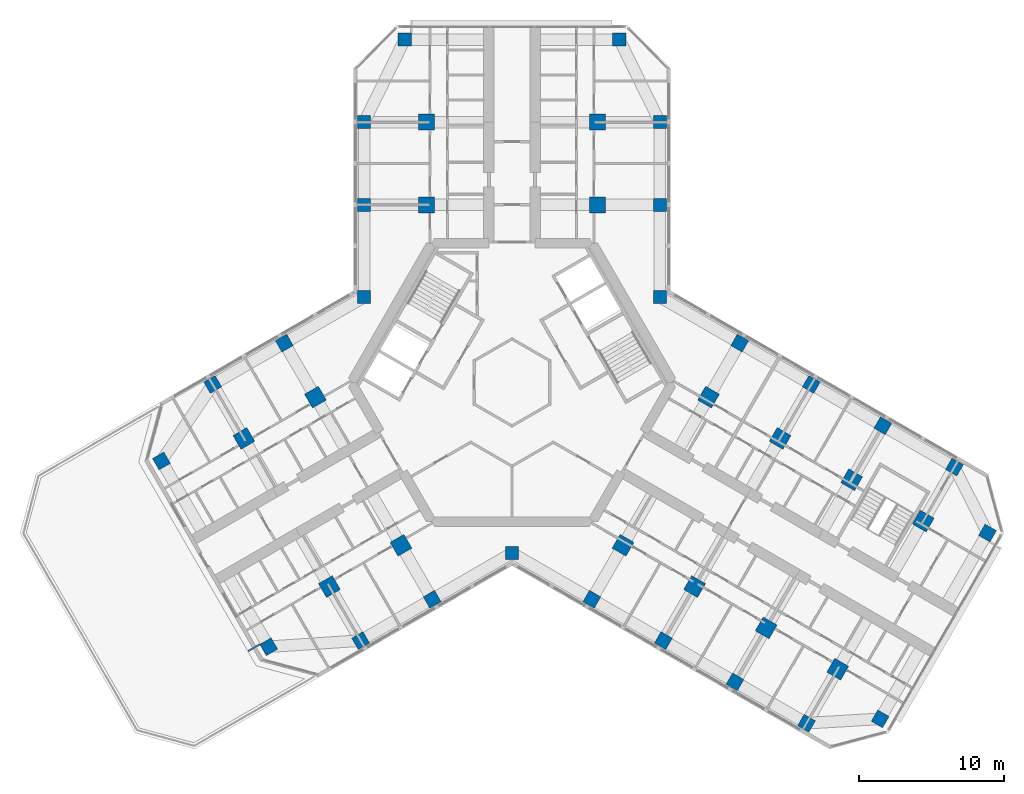
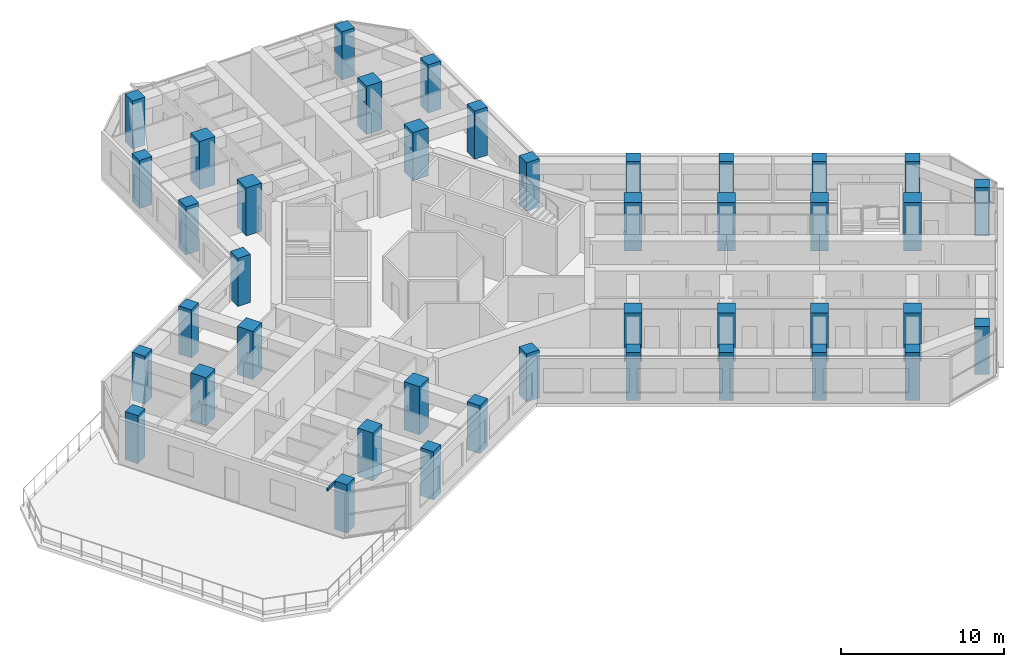
# One storey, part 1 of 17: 41 columns, 1 member.
"""IFC4 building model written with IfcOpenShell, lengths in metres."""

from ifc_helpers import new_model, si_unit, direction, frame, origin, origin_2d, place, context, subcontext, project, spatial, rectangle, hollow_rectangle, extrude, material, material_profile, profile_set, type_object, element, save


model = new_model("IFC4")

# Units and contexts
model_context = context("Model", 3, precision=1e-05, world=origin(), true_north=direction((0.0, 1.0)))
body_context = subcontext(model_context, "Body", "Model", "MODEL_VIEW")
ifc_project = project(units=[si_unit("LENGTHUNIT", "METRE"), si_unit("AREAUNIT", "SQUARE_METRE"), si_unit("VOLUMEUNIT", "CUBIC_METRE"), si_unit("PLANEANGLEUNIT", "RADIAN"), si_unit("MASSUNIT", "GRAM", prefix="KILO")], contexts=[model_context])

# Site, building, storey
site_placement = place(None, origin())
site = spatial("IfcSite", under=ifc_project, at=site_placement, CompositionType="ELEMENT")
building_placement = place(site_placement, origin())
building = spatial("IfcBuilding", under=site, at=building_placement, Name="Kosmar Iwan School Tower", CompositionType="ELEMENT")
storey_placement = place(building_placement, frame((0.0, 0.0, 193.800048828125)))
storey = spatial("IfcBuildingStorey", under=building, at=storey_placement, Name="L48", CompositionType="ELEMENT", Elevation=193.800048828125)

# Columns
ifc_material_1 = material(Name="Concrete C50/60", Category="concrete")
ifc_material_profile_1 = material_profile(ifc_material_1, rectangle(XDim=0.89990234375, YDim=0.89990234375, at=origin_2d()), Name="RC 900x900 + HD 400x347")
ifc_profile_set_1 = profile_set([ifc_material_profile_1], Name="Concrete C50/60")
column_type_1 = type_object("IfcColumnType", Name="Composite column 900x900 HD 400x347", PredefinedType="COLUMN", material=ifc_profile_set_1)
for number, where, z_axis, x_axis, name in (
    (1, (-10.199951171875, 12.25, 0.0), (0.0, 0.0, 1.0), (0.0, 1.0, 0.0), "Column AL1 L48"),
    (2, (-10.199951171875, 17.949951171875, 0.0), (0.0, 0.0, 1.0), (0.0, 1.0, 0.0), "Column AL2 L48"),
    (3, (-7.39990234375, 23.64990234375, 0.0), (0.0, 0.0, 1.0), (0.0, 1.0, 0.0), "Column ALTIP L48"),
    (4, (10.199951171875, 12.25, 0.0), (0.0, 0.0, 1.0), (0.0, 1.0, 0.0), "Column AR1 L48"),
    (5, (10.199951171875, 17.949951171875, 0.0), (0.0, 0.0, 1.0), (0.0, 1.0, 0.0), "Column AR2 L48"),
    (6, (7.39990234375, 23.64990234375, 0.0), (0.0, 0.0, 1.0), (0.0, 1.0, 0.0), "Column ARTIP L48"),
    (7, (-5.5087890625, -14.95849609375, 0.0), (0.0, 0.0, 1.0), (-0.866025403784, -0.5, 0.0), "Column BL1 L48"),
    (8, (-10.445068359375, -17.808349609375, 0.0), (0.0, 0.0, 1.0), (-0.866025403784, -0.5, 0.0), "Column BL2 L48"),
    (9, (-16.781494140625, -18.233642578125, 0.0), (0.0, 0.0, 1.0), (-0.866025403784, -0.5, 0.0), "Column BLTIP L48"),
    (10, (-15.708740234375, 2.70849609375, 0.0), (0.0, 0.0, 1.0), (-0.866025403784, -0.5, 0.0), "Column BR1 L48"),
    (11, (-20.645263671875, -0.1416015625, 0.0), (0.0, 0.0, 1.0), (-0.866025403784, -0.5, 0.0), "Column BR2 L48"),
    (12, (-24.181396484375, -5.41650390625, 0.0), (0.0, 0.0, 1.0), (-0.866025403784, -0.5, 0.0), "Column BRTIP L48"),
    (13, (15.708740234375, 2.70849609375, 0.0), (0.0, 0.0, 1.0), (0.866025403784, -0.5, 0.0), "Column CL1 L48"),
    (14, (20.645263671875, -0.1416015625, 0.0), (0.0, 0.0, 1.0), (0.866025403784, -0.5, 0.0), "Column CL2 L48"),
    (15, (25.58154296875, -2.991455078125, 0.0), (0.0, 0.0, 1.0), (0.866025403784, -0.5, 0.0), "Column CL3 L48"),
    (16, (30.517822265625, -5.841552734375, 0.0), (0.0, 0.0, 1.0), (0.866025403784, -0.5, 0.0), "Column CL4 L48"),
    (17, (32.79833984375, -10.391357421875, 0.0), (0.0, 0.0, 1.0), (0.866025403784, -0.5, 0.0), "Column CLTIP L48"),
    (18, (5.5087890625, -14.95849609375, 0.0), (0.0, 0.0, 1.0), (0.866025403784, -0.5, 0.0), "Column CR1 L48"),
    (19, (10.445068359375, -17.808349609375, 0.0), (0.0, 0.0, 1.0), (0.866025403784, -0.5, 0.0), "Column CR2 L48"),
    (20, (15.381591796875, -20.658447265625, 0.0), (0.0, 0.0, 1.0), (0.866025403784, -0.5, 0.0), "Column CR3 L48"),
    (21, (20.31787109375, -23.508544921875, 0.0), (0.0, 0.0, 1.0), (0.866025403784, -0.5, 0.0), "Column CR4 L48"),
    (22, (25.3984375, -23.20849609375, 0.0), (0.0, 0.0, 1.0), (0.866025403784, -0.5, 0.0), "Column CRTIP L48"),
    (23, (-10.199951171875, 5.888916015625, 0.0), (0.0, 0.0, 1.0), (1.0, 0.0, 0.0), "Column RAB L48"),
    (24, (10.199951171875, 5.888916015625, 0.0), (0.0, 0.0, 1.0), (1.0, 0.0, 0.0), "Column RAC L48"),
    (25, (0.0, -11.77783203125, 0.0), (0.0, 0.0, 1.0), (1.0, 0.0, 0.0), "Column RBC L48"),
):
    element("IfcColumn", number, at=place(storey_placement, frame(where, z_axis=z_axis, x_axis=x_axis)), inside=storey, type_object=column_type_1, Name=name, PredefinedType="COLUMN", context=body_context, shape_type="SweptSolid", body=[
        extrude(rectangle(XDim=0.89990234375, YDim=0.89990234375, at=origin_2d()), origin(), (0.0, 0.0, 1.0), 3.599853515625),
    ])
ifc_material_2 = material(Name="Concrete C50/60", Category="concrete")
ifc_material_profile_2 = material_profile(ifc_material_2, rectangle(XDim=1.10009765625, YDim=1.10009765625, at=origin_2d()), Name="RC 1100x1100")
ifc_profile_set_2 = profile_set([ifc_material_profile_2], Name="Concrete C50/60")
column_type_2 = type_object("IfcColumnType", Name="RC interior column 1100x1100", PredefinedType="COLUMN", material=ifc_profile_set_2)
for number, where, z_axis, x_axis, name in (
    (26, (-5.89990234375, 12.25, 0.0), (0.0, 0.0, 1.0), (0.0, 1.0, 0.0), "Interior column ALI1 L48"),
    (27, (-5.89990234375, 17.949951171875, 0.0), (0.0, 0.0, 1.0), (0.0, 1.0, 0.0), "Interior column ALI2 L48"),
    (28, (5.89990234375, 12.25, 0.0), (0.0, 0.0, 1.0), (0.0, 1.0, 0.0), "Interior column ARI1 L48"),
    (29, (5.89990234375, 17.949951171875, 0.0), (0.0, 0.0, 1.0), (0.0, 1.0, 0.0), "Interior column ARI2 L48"),
    (30, (-7.65869140625, -11.234619140625, 0.0), (0.0, 0.0, 1.0), (-0.866025403784, -0.5, 0.0), "Interior column BLI1 L48"),
    (31, (-12.59521484375, -14.08447265625, 0.0), (0.0, 0.0, 1.0), (-0.866025403784, -0.5, 0.0), "Interior column BLI2 L48"),
    (32, (-13.558837890625, -1.015380859375, 0.0), (0.0, 0.0, 1.0), (-0.866025403784, -0.5, 0.0), "Interior column BRI1 L48"),
    (33, (-18.4951171875, -3.865478515625, 0.0), (0.0, 0.0, 1.0), (-0.866025403784, -0.5, 0.0), "Interior column BRI2 L48"),
    (34, (13.558837890625, -1.015380859375, 0.0), (0.0, 0.0, 1.0), (0.866025403784, -0.5, 0.0), "Interior column CLI1 L48"),
    (35, (18.4951171875, -3.865478515625, 0.0), (0.0, 0.0, 1.0), (0.866025403784, -0.5, 0.0), "Interior column CLI2 L48"),
    (36, (23.431396484375, -6.71533203125, 0.0), (0.0, 0.0, 1.0), (0.866025403784, -0.5, 0.0), "Interior column CLI3 L48"),
    (37, (28.367919921875, -9.5654296875, 0.0), (0.0, 0.0, 1.0), (0.866025403784, -0.5, 0.0), "Interior column CLI4 L48"),
    (38, (7.65869140625, -11.234619140625, 0.0), (0.0, 0.0, 1.0), (0.866025403784, -0.5, 0.0), "Interior column CRI1 L48"),
    (39, (12.59521484375, -14.08447265625, 0.0), (0.0, 0.0, 1.0), (0.866025403784, -0.5, 0.0), "Interior column CRI2 L48"),
    (40, (17.531494140625, -16.9345703125, 0.0), (0.0, 0.0, 1.0), (0.866025403784, -0.5, 0.0), "Interior column CRI3 L48"),
    (41, (22.4677734375, -19.78466796875, 0.0), (0.0, 0.0, 1.0), (0.866025403784, -0.5, 0.0), "Interior column CRI4 L48"),
):
    element("IfcColumn", number, at=place(storey_placement, frame(where, z_axis=z_axis, x_axis=x_axis)), inside=storey, type_object=column_type_2, Name=name, PredefinedType="COLUMN", context=body_context, shape_type="SweptSolid", body=[
        extrude(rectangle(XDim=1.10009765625, YDim=1.10009765625, at=origin_2d()), origin(), (0.0, 0.0, 1.0), 3.599853515625),
    ])

# Member
ifc_material_3 = material(Name="Steel S355", Category="steel")
ifc_material_profile_3 = material_profile(ifc_material_3, hollow_rectangle(XDim=0.10009765625, YDim=0.199951171875, WallThickness=0.008056640625, at=origin_2d()), Name="RHS 200x100x8")
ifc_profile_set_3 = profile_set([ifc_material_profile_3], Name="Steel S355")
member_type = type_object("IfcMemberType", Name="Fin bracket RHS 200x100", PredefinedType="USERDEFINED", material=ifc_profile_set_3)
member_placement = place(storey_placement, frame((-17.396240234375, -18.06884765625, 3.474853515625), z_axis=(-0.866013897511, -0.50001992892, 0.0), x_axis=(0.50001992892, -0.866013897511, 0.0)))
element("IfcMember", 42, at=member_placement, inside=storey, type_object=member_type, Name="Fin bracket L49", ObjectType="FIN BRACKET", PredefinedType="USERDEFINED", context=body_context, shape_type="SweptSolid", body=[
    extrude(hollow_rectangle(XDim=0.10009765625, YDim=0.199951171875, WallThickness=0.008056640625, at=origin_2d()), origin(), (0.0, 0.0, 1.0), 0.89990234375),
])

save(model, "model.ifc")
